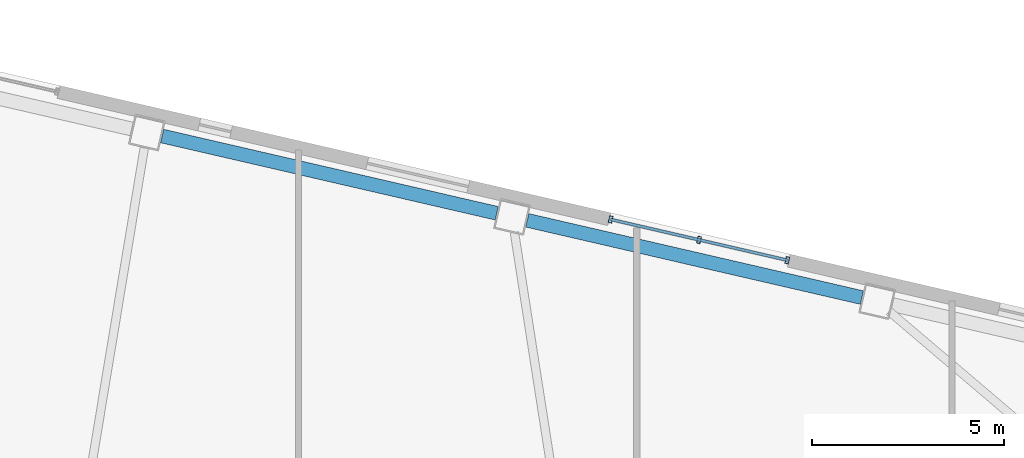
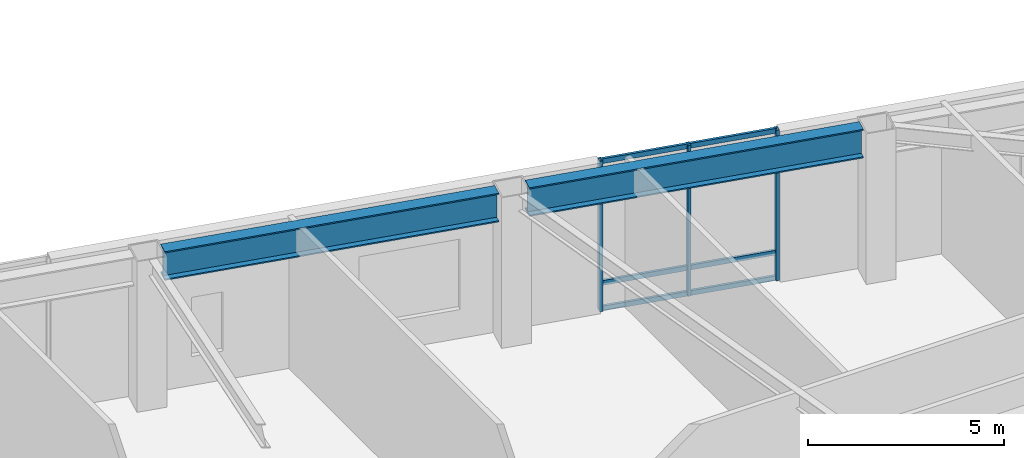
# One storey, part 7 of 21: 6 members, 2 beams, 1 element without a shape of its own.
"""IFC4 building model written with IfcOpenShell, lengths in metres."""

import ifcopenshell
import ifcopenshell.guid

model = None  # the IFC model being written
_history = None  # IfcOwnerHistory: only IFC2X3 demands one
_inside = {}  # id of a spatial element -> (the spatial element, [elements in it])
_under = {}  # id of a project, library or spatial element -> (it, [spatial elements below it])
_declared = {}  # id of a project -> (the project, [libraries it declares])
_typed = {}  # id of a type object -> (the type object, [elements of that type])
_made_of = {}  # id of a material, layer set ... -> (it, [elements and type objects made of it])


def new_model(schema):
    """Start an empty IFC model of exactly this schema.

    Asked for "IFC4X3", IfcOpenShell would pick the latest addendum, in which some entities
    have other attributes; the version numbers below select the first issue.
    IFC2X3 requires an IfcOwnerHistory on every rooted entity: one is made here for all.
    """
    global model, _history
    if schema == "IFC4X3":
        model = ifcopenshell.file(schema_version=(4, 3, 0, 0))
    else:
        model = ifcopenshell.file(schema=schema)
    _inside.clear()
    _under.clear()
    _declared.clear()
    _typed.clear()
    _made_of.clear()
    _history = None
    if model.schema == "IFC2X3":
        org = make("IfcOrganization", Name="unknown")
        user = make(
            "IfcPersonAndOrganization",
            ThePerson=make("IfcPerson", FamilyName="unknown"),
            TheOrganization=org,
        )
        app = make(
            "IfcApplication",
            ApplicationDeveloper=org,
            Version="unknown",
            ApplicationFullName="unknown",
            ApplicationIdentifier="unknown",
        )
        _history = make(
            "IfcOwnerHistory",
            OwningUser=user,
            OwningApplication=app,
            ChangeAction="ADDED",
            CreationDate=0,
        )
    return model


def make(cls, **values):
    """One entity of the class cls with the attributes given. An attribute that is None is left unset."""
    return model.create_entity(
        cls, **{name: value for name, value in values.items() if value is not None}
    )


def rooted(cls, **values):
    """An entity with a GlobalId (a new one), such as an element, a storey or a relation."""
    return make(cls, GlobalId=ifcopenshell.guid.new(), OwnerHistory=_history, **values)


def si_unit(unit_type, name, prefix=None):
    """IfcSIUnit, for example si_unit("LENGTHUNIT", "METRE", prefix="MILLI")."""
    return make("IfcSIUnit", UnitType=unit_type, Prefix=prefix, Name=name)


def assignment(units):
    """IfcUnitAssignment: the units of a project."""
    return None if units is None else make("IfcUnitAssignment", Units=units)


def point(xyz):
    """IfcCartesianPoint."""
    return None if xyz is None else make("IfcCartesianPoint", Coordinates=xyz)


def direction(xyz):
    """IfcDirection."""
    return None if xyz is None else make("IfcDirection", DirectionRatios=xyz)


def frame(location, z_axis=None, x_axis=None):
    """IfcAxis2Placement3D, a coordinate frame: its origin and axes. An axis left out is left unset."""
    return make(
        "IfcAxis2Placement3D",
        Location=point(location),
        Axis=direction(z_axis),
        RefDirection=direction(x_axis),
    )


def frame_2d(location, x_axis=None):
    """IfcAxis2Placement2D, a coordinate frame in the plane: its origin and x axis."""
    return make(
        "IfcAxis2Placement2D", Location=point(location), RefDirection=direction(x_axis)
    )


def origin():
    """The frame at (0, 0, 0) with its axes left unset."""
    return frame((0.0, 0.0, 0.0))


def origin_2d():
    """The frame at (0, 0) in the plane with its x axis left unset."""
    return frame_2d((0.0, 0.0))


def place(relative_to, where):
    """IfcLocalPlacement: puts the frame where relative to a parent placement (None: the world)."""
    return make(
        "IfcLocalPlacement", PlacementRelTo=relative_to, RelativePlacement=where
    )


def context(
    kind, dimensions, precision=None, world=None, true_north=None, identifier=None
):
    """IfcGeometricRepresentationContext, for example the 3D "Model" context."""
    return make(
        "IfcGeometricRepresentationContext",
        ContextIdentifier=identifier,
        ContextType=kind,
        CoordinateSpaceDimension=dimensions,
        Precision=precision,
        WorldCoordinateSystem=world,
        TrueNorth=true_north,
    )


def subcontext(parent, identifier, kind, view, scale=None):
    """IfcGeometricRepresentationSubContext, for example "Body" below "Model"."""
    return make(
        "IfcGeometricRepresentationSubContext",
        ContextIdentifier=identifier,
        ContextType=kind,
        ParentContext=parent,
        TargetScale=scale,
        TargetView=view,
    )


def project(units=None, contexts=None):
    """IfcProject with its units and contexts."""
    return rooted(
        "IfcProject",
        Name="project",
        RepresentationContexts=contexts,
        UnitsInContext=assignment(units),
    )


def spatial(cls, under=None, at=None, **own):
    """A site, building, storey or space (cls), placed at a placement, below another one or the project."""
    s = rooted(cls, ObjectPlacement=at, **own)
    if under is not None:
        _under.setdefault(under.id(), (under, []))[1].append(s)
    return s


def profile(cls, at=None, kind="AREA", **sizes):
    """A parametric profile (cls). Its sizes go by their IFC names, for example OverallWidth=200.0."""
    return make(cls, ProfileType=kind, Position=at, **sizes)


def hollow_rectangle(**sizes):
    """IfcRectangleHollowProfileDef."""
    return profile("IfcRectangleHollowProfileDef", **sizes)


def i_section(**sizes):
    """IfcIShapeProfileDef."""
    return profile("IfcIShapeProfileDef", **sizes)


def extrude(swept, where, along, depth):
    """IfcExtrudedAreaSolid: the profile swept, set in the frame where, extruded along a direction by depth."""
    return make(
        "IfcExtrudedAreaSolid",
        SweptArea=swept,
        Position=where,
        ExtrudedDirection=direction(along),
        Depth=depth,
    )


def shape(context_of_items, identifier, shape_type, items):
    """IfcShapeRepresentation: the items that make up one representation, for example the "Body"."""
    return make(
        "IfcShapeRepresentation",
        ContextOfItems=context_of_items,
        RepresentationIdentifier=identifier,
        RepresentationType=shape_type,
        Items=items,
    )


def material(Name=None, Category=None):
    """IfcMaterial."""
    return make("IfcMaterial", Name=Name, Category=Category)


def layer(
    of_material, thickness, ventilated=None, Name=None, Category=None, Priority=None
):
    """IfcMaterialLayer: one layer of a wall or slab, of a material (None: an air gap)."""
    return make(
        "IfcMaterialLayer",
        Material=of_material,
        LayerThickness=thickness,
        IsVentilated=ventilated,
        Name=Name,
        Category=Category,
        Priority=Priority,
    )


def layer_set(layers, Name=None):
    """IfcMaterialLayerSet."""
    return make("IfcMaterialLayerSet", MaterialLayers=layers, LayerSetName=Name)


def material_profile(
    of_material, cross_section, Name=None, Category=None, Priority=None
):
    """IfcMaterialProfile: a cross section and its material."""
    return make(
        "IfcMaterialProfile",
        Name=Name,
        Material=of_material,
        Profile=cross_section,
        Priority=Priority,
        Category=Category,
    )


def profile_set(profiles, Name=None, composite=None):
    """IfcMaterialProfileSet."""
    return make(
        "IfcMaterialProfileSet",
        Name=Name,
        MaterialProfiles=profiles,
        CompositeProfile=composite,
    )


def made_of(thing, what):
    """Note that an element or type object is made of a material, layer set ...; save() writes the relation."""
    if what is not None:
        _made_of.setdefault(what.id(), (what, []))[1].append(thing)
    return thing


def type_object(cls, material=None, **own):
    """A type object (cls), such as IfcWallType, which elements share."""
    return made_of(rooted(cls, **own), material)


def element(
    cls,
    number,
    at=None,
    inside=None,
    cuts=None,
    type_object=None,
    material=None,
    context=None,
    identifier="Body",
    shape_type=None,
    held_by="IfcProductDefinitionShape",
    body=None,
    shapes=None,
    **own,
):
    """One element of the class cls, such as IfcWall. Its Tag is "e" and its number.

    at: its placement. inside: the storey or other place that contains it. cuts: it is an
    opening in that element (IfcRelVoidsElement). A single representation is given by context,
    identifier, shape_type and body (its items); several are given by shapes. held_by: the class
    of the entity that holds the representations. save() writes the other relations.
    """
    e = rooted(cls, Tag="e%d" % number, ObjectPlacement=at, **own)
    if body is not None:
        shapes = [shape(context, identifier, shape_type, body)]
    if shapes is not None:
        e.Representation = make(held_by, Representations=shapes)
    if inside is not None:
        _inside.setdefault(inside.id(), (inside, []))[1].append(e)
    if cuts is not None:
        rooted(
            "IfcRelVoidsElement", RelatingBuildingElement=cuts, RelatedOpeningElement=e
        )
    if type_object is not None:
        _typed.setdefault(type_object.id(), (type_object, []))[1].append(e)
    return made_of(e, material)


def aggregate(whole, parts):
    """IfcRelAggregates: a whole, such as a stair, and the parts it consists of."""
    return rooted("IfcRelAggregates", RelatingObject=whole, RelatedObjects=parts)


def save(model, path):
    """Write the relations noted so far, then the file.

    IfcRelAggregates (storeys below a building ...), IfcRelContainedInSpatialStructure (elements
    in a storey), IfcRelDefinesByType, IfcRelAssociatesMaterial and IfcRelDeclares: one each for
    every whole, place, type object, material and project.
    """
    for whole, parts in _under.values():
        aggregate(whole, parts)
    for where, things in _inside.values():
        rooted(
            "IfcRelContainedInSpatialStructure",
            RelatedElements=things,
            RelatingStructure=where,
        )
    for kind, things in _typed.values():
        rooted("IfcRelDefinesByType", RelatedObjects=things, RelatingType=kind)
    for what, things in _made_of.values():
        rooted("IfcRelAssociatesMaterial", RelatedObjects=things, RelatingMaterial=what)
    for by, libraries in _declared.values():
        rooted("IfcRelDeclares", RelatingContext=by, RelatedDefinitions=libraries)
    model.write(path)


model = new_model("IFC4")

# Units and contexts
model_context = context("Model", 3, precision=1e-05, world=origin(), true_north=direction((0.0, 1.0)))
body_context = subcontext(model_context, "Body", "Model", "MODEL_VIEW")
ifc_project = project(units=[si_unit("LENGTHUNIT", "METRE"), si_unit("AREAUNIT", "SQUARE_METRE"), si_unit("VOLUMEUNIT", "CUBIC_METRE"), si_unit("PLANEANGLEUNIT", "RADIAN"), si_unit("MASSUNIT", "GRAM", prefix="KILO")], contexts=[model_context])

# Site, building, storey
site_placement = place(None, origin())
site = spatial("IfcSite", under=ifc_project, at=site_placement, CompositionType="ELEMENT")
building_placement = place(site_placement, origin())
building = spatial("IfcBuilding", under=site, at=building_placement, Name="Tavrogorsk Clinical Tower", CompositionType="ELEMENT")
storey_placement = place(building_placement, frame((0.0, 0.0, 8.39990234375)))
storey = spatial("IfcBuildingStorey", under=building, at=storey_placement, Name="L01", CompositionType="ELEMENT", Elevation=8.39990234375)

# Curtain wall, members
ifc_material_1 = material(Name="Anodised aluminium and triple IGU glazing", Category="aluminium")
ifc_layer = layer(ifc_material_1, 0.179931640625)
ifc_layer_set = layer_set([ifc_layer], Name="Anodised aluminium and triple IGU glazing")
curtain_wall_type = type_object("IfcCurtainWallType", Name="CW2_NorthSlot", PredefinedType="NOTDEFINED", material=ifc_layer_set)
curtain_wall_placement = place(storey_placement, origin())
curtain_wall = element("IfcCurtainWall", 1, at=curtain_wall_placement, inside=storey, type_object=curtain_wall_type, Name="L01 Curtain Wall CW-L01-N-SLOT-2", PredefinedType="NOTDEFINED")
ifc_material_2 = material(Name="Anodised aluminium alloy AW-6060", Category="aluminium")
ifc_material_profile_1 = material_profile(ifc_material_2, hollow_rectangle(XDim=0.090087890625, YDim=0.179931640625, WallThickness=0.00634765625, at=origin_2d()), Name="RHS-180x90x6.3")
ifc_profile_set_1 = profile_set([ifc_material_profile_1], Name="Anodised aluminium alloy AW-6060")
member_type_1 = type_object("IfcMemberType", Name="CwMullion_180x90", PredefinedType="MULLION", material=ifc_profile_set_1)
member_1_placement = place(storey_placement, frame((15.117919921875, 20.254638671875, 0.0), z_axis=(0.0, 0.0, 1.0), x_axis=(-0.974370046851, 0.224951132027, 0.0)))
member_1 = element("IfcMember", 2, at=member_1_placement, type_object=member_type_1, Name="CW-L01-N-SLOT-2 Mullion 1", PredefinedType="MULLION", context=body_context, shape_type="SweptSolid", body=[
    extrude(hollow_rectangle(XDim=0.090087890625, YDim=0.179931640625, WallThickness=0.00634765625, at=origin_2d()), origin(), (0.0, 0.0, 1.0), 4.7001953125),
])
member_2_placement = place(storey_placement, frame((12.8193359375, 20.78515625, 0.0), z_axis=(0.0, 0.0, 1.0), x_axis=(-0.974370046851, 0.224951132027, 0.0)))
member_2 = element("IfcMember", 3, at=member_2_placement, type_object=member_type_1, Name="CW-L01-N-SLOT-2 Mullion 2", PredefinedType="MULLION", context=body_context, shape_type="SweptSolid", body=[
    extrude(hollow_rectangle(XDim=0.090087890625, YDim=0.179931640625, WallThickness=0.00634765625, at=origin_2d()), origin(), (0.0, 0.0, 1.0), 4.7001953125),
])
member_3_placement = place(storey_placement, frame((10.520751953125, 21.31591796875, 0.0), z_axis=(0.0, 0.0, 1.0), x_axis=(-0.974370046851, 0.224951132027, 0.0)))
member_3 = element("IfcMember", 4, at=member_3_placement, type_object=member_type_1, Name="CW-L01-N-SLOT-2 Mullion 3", PredefinedType="MULLION", context=body_context, shape_type="SweptSolid", body=[
    extrude(hollow_rectangle(XDim=0.090087890625, YDim=0.179931640625, WallThickness=0.00634765625, at=origin_2d()), origin(), (0.0, 0.0, 1.0), 4.7001953125),
])
ifc_material_3 = material(Name="Anodised aluminium alloy AW-6060", Category="aluminium")
ifc_material_profile_2 = material_profile(ifc_material_3, hollow_rectangle(XDim=0.074951171875, YDim=0.14990234375, WallThickness=0.0048828125, at=origin_2d()), Name="RHS-150x75x5")
ifc_profile_set_2 = profile_set([ifc_material_profile_2], Name="Anodised aluminium alloy AW-6060")
member_type_2 = type_object("IfcMemberType", Name="CwTransom_150x75", PredefinedType="USERDEFINED", material=ifc_profile_set_2)
member_4_placement = place(storey_placement, frame((15.117919921875, 20.254638671875, 0.050048828125), z_axis=(-0.974372877948, 0.22493886885, 0.0), x_axis=(-0.22493886885, -0.974372877948, 0.0)))
member_4 = element("IfcMember", 5, at=member_4_placement, type_object=member_type_2, Name="CW-L01-N-SLOT-2 Transom 1", ObjectType="TRANSOM", PredefinedType="USERDEFINED", context=body_context, shape_type="SweptSolid", body=[
    extrude(hollow_rectangle(XDim=0.074951171875, YDim=0.14990234375, WallThickness=0.0048828125, at=origin_2d()), origin(), (0.0, 0.0, 1.0), 4.718017578125),
])
member_5_placement = place(storey_placement, frame((15.117919921875, 20.254638671875, 0.85009765625), z_axis=(-0.974372877948, 0.22493886885, 0.0), x_axis=(-0.22493886885, -0.974372877948, 0.0)))
member_5 = element("IfcMember", 6, at=member_5_placement, type_object=member_type_2, Name="CW-L01-N-SLOT-2 Transom 2", ObjectType="TRANSOM", PredefinedType="USERDEFINED", context=body_context, shape_type="SweptSolid", body=[
    extrude(hollow_rectangle(XDim=0.074951171875, YDim=0.14990234375, WallThickness=0.0048828125, at=origin_2d()), origin(), (0.0, 0.0, 1.0), 4.718017578125),
])
member_6_placement = place(storey_placement, frame((15.117919921875, 20.254638671875, 4.650146484375), z_axis=(-0.974372877948, 0.22493886885, 0.0), x_axis=(-0.22493886885, -0.974372877948, 0.0)))
member_6 = element("IfcMember", 7, at=member_6_placement, type_object=member_type_2, Name="CW-L01-N-SLOT-2 Transom 3", ObjectType="TRANSOM", PredefinedType="USERDEFINED", context=body_context, shape_type="SweptSolid", body=[
    extrude(hollow_rectangle(XDim=0.074951171875, YDim=0.14990234375, WallThickness=0.0048828125, at=origin_2d()), origin(), (0.0, 0.0, 1.0), 4.718017578125),
])
aggregate(curtain_wall, [member_1, member_2, member_3, member_4, member_5, member_6])

# Beams
ifc_material_4 = material(Name="Structural steel S440", Category="steel")
ifc_material_profile_3 = material_profile(ifc_material_4, i_section(OverallWidth=0.360107421875, OverallDepth=0.89990234375, WebThickness=0.02392578125, FlangeThickness=0.0400390625, at=origin_2d()), Name="DK-900x360x24x40")
ifc_profile_set_3 = profile_set([ifc_material_profile_3], Name="Structural steel S440")
beam_type = type_object("IfcBeamType", Name="TransferGirder_DK900", PredefinedType="USERDEFINED", material=ifc_profile_set_3)
for number, where, z_axis, x_axis, name in (
    (8, (17.056396484375, 19.28369140625, 4.25), (-0.974372766602, 0.224939351168, 0.0), (-0.224939351168, -0.974372766602, 0.0), "L01 Perimeter Spandrel N3-N4"),
    (9, (7.5576171875, 21.4765625, 4.25), (-0.974366775889, 0.224965299645, 0.0), (-0.224965299645, -0.974366775889, 0.0), "L01 Perimeter Spandrel N4-N5"),
):
    element("IfcBeam", number, at=place(storey_placement, frame(where, z_axis=z_axis, x_axis=x_axis)), inside=storey, type_object=beam_type, Name=name, ObjectType="GIRDER", PredefinedType="USERDEFINED", context=body_context, shape_type="SweptSolid", body=[
        extrude(i_section(OverallWidth=0.360107421875, OverallDepth=0.89990234375, WebThickness=0.02392578125, FlangeThickness=0.0400390625, at=origin_2d()), origin(), (0.0, 0.0, 1.0), 8.9326171875),
    ])

save(model, "model.ifc")
